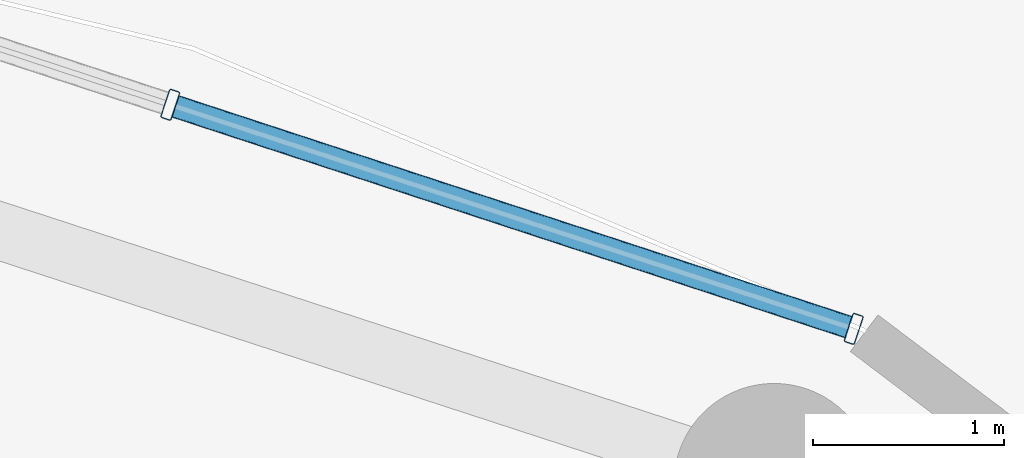
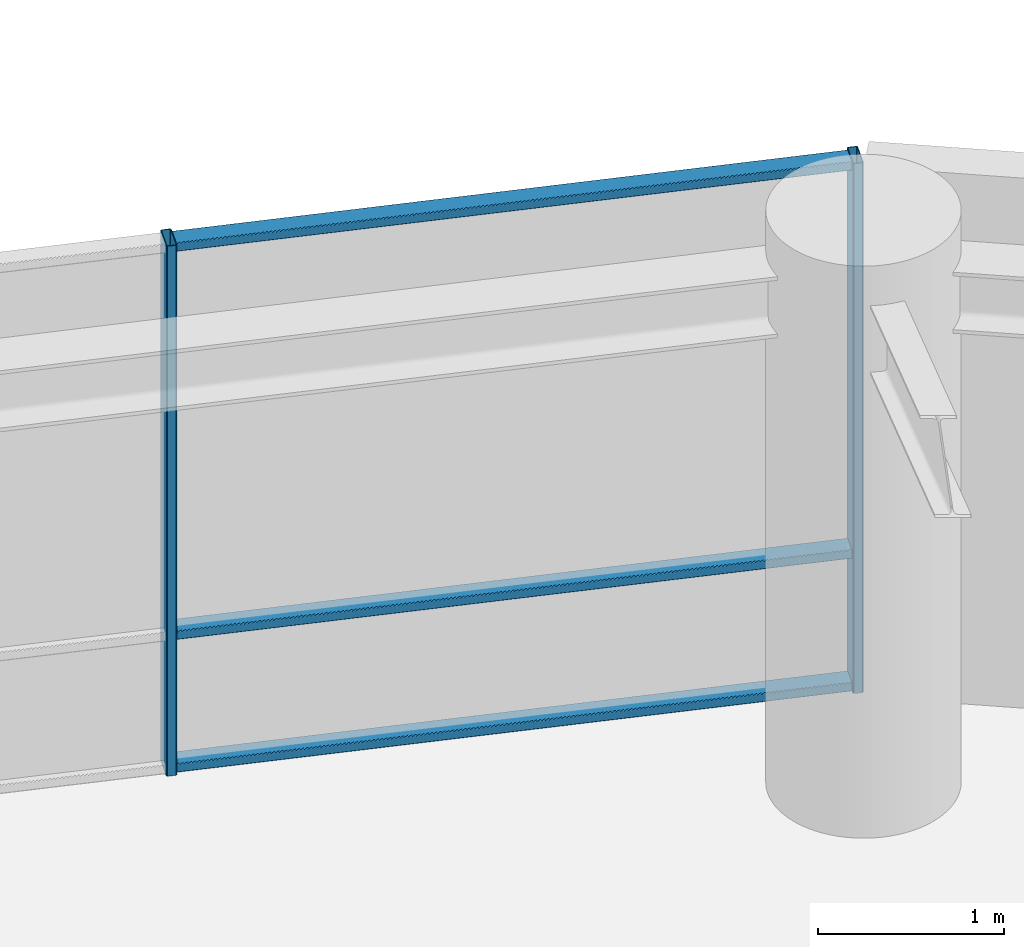
# One storey, part 21 of 30: 5 members, 1 element without a shape of its own.
"""IFC4 building model written with IfcOpenShell, lengths in metres."""

import ifcopenshell
import ifcopenshell.guid

model = None  # the IFC model being written
_history = None  # IfcOwnerHistory: only IFC2X3 demands one
_inside = {}  # id of a spatial element -> (the spatial element, [elements in it])
_under = {}  # id of a project, library or spatial element -> (it, [spatial elements below it])
_declared = {}  # id of a project -> (the project, [libraries it declares])
_typed = {}  # id of a type object -> (the type object, [elements of that type])
_made_of = {}  # id of a material, layer set ... -> (it, [elements and type objects made of it])


def new_model(schema):
    """Start an empty IFC model of exactly this schema.

    Asked for "IFC4X3", IfcOpenShell would pick the latest addendum, in which some entities
    have other attributes; the version numbers below select the first issue.
    IFC2X3 requires an IfcOwnerHistory on every rooted entity: one is made here for all.
    """
    global model, _history
    if schema == "IFC4X3":
        model = ifcopenshell.file(schema_version=(4, 3, 0, 0))
    else:
        model = ifcopenshell.file(schema=schema)
    _inside.clear()
    _under.clear()
    _declared.clear()
    _typed.clear()
    _made_of.clear()
    _history = None
    if model.schema == "IFC2X3":
        org = make("IfcOrganization", Name="unknown")
        user = make(
            "IfcPersonAndOrganization",
            ThePerson=make("IfcPerson", FamilyName="unknown"),
            TheOrganization=org,
        )
        app = make(
            "IfcApplication",
            ApplicationDeveloper=org,
            Version="unknown",
            ApplicationFullName="unknown",
            ApplicationIdentifier="unknown",
        )
        _history = make(
            "IfcOwnerHistory",
            OwningUser=user,
            OwningApplication=app,
            ChangeAction="ADDED",
            CreationDate=0,
        )
    return model


def make(cls, **values):
    """One entity of the class cls with the attributes given. An attribute that is None is left unset."""
    return model.create_entity(
        cls, **{name: value for name, value in values.items() if value is not None}
    )


def rooted(cls, **values):
    """An entity with a GlobalId (a new one), such as an element, a storey or a relation."""
    return make(cls, GlobalId=ifcopenshell.guid.new(), OwnerHistory=_history, **values)


def si_unit(unit_type, name, prefix=None):
    """IfcSIUnit, for example si_unit("LENGTHUNIT", "METRE", prefix="MILLI")."""
    return make("IfcSIUnit", UnitType=unit_type, Prefix=prefix, Name=name)


def assignment(units):
    """IfcUnitAssignment: the units of a project."""
    return None if units is None else make("IfcUnitAssignment", Units=units)


def point(xyz):
    """IfcCartesianPoint."""
    return None if xyz is None else make("IfcCartesianPoint", Coordinates=xyz)


def direction(xyz):
    """IfcDirection."""
    return None if xyz is None else make("IfcDirection", DirectionRatios=xyz)


def frame(location, z_axis=None, x_axis=None):
    """IfcAxis2Placement3D, a coordinate frame: its origin and axes. An axis left out is left unset."""
    return make(
        "IfcAxis2Placement3D",
        Location=point(location),
        Axis=direction(z_axis),
        RefDirection=direction(x_axis),
    )


def frame_2d(location, x_axis=None):
    """IfcAxis2Placement2D, a coordinate frame in the plane: its origin and x axis."""
    return make(
        "IfcAxis2Placement2D", Location=point(location), RefDirection=direction(x_axis)
    )


def origin():
    """The frame at (0, 0, 0) with its axes left unset."""
    return frame((0.0, 0.0, 0.0))


def origin_2d():
    """The frame at (0, 0) in the plane with its x axis left unset."""
    return frame_2d((0.0, 0.0))


def place(relative_to, where):
    """IfcLocalPlacement: puts the frame where relative to a parent placement (None: the world)."""
    return make(
        "IfcLocalPlacement", PlacementRelTo=relative_to, RelativePlacement=where
    )


def context(
    kind, dimensions, precision=None, world=None, true_north=None, identifier=None
):
    """IfcGeometricRepresentationContext, for example the 3D "Model" context."""
    return make(
        "IfcGeometricRepresentationContext",
        ContextIdentifier=identifier,
        ContextType=kind,
        CoordinateSpaceDimension=dimensions,
        Precision=precision,
        WorldCoordinateSystem=world,
        TrueNorth=true_north,
    )


def subcontext(parent, identifier, kind, view, scale=None):
    """IfcGeometricRepresentationSubContext, for example "Body" below "Model"."""
    return make(
        "IfcGeometricRepresentationSubContext",
        ContextIdentifier=identifier,
        ContextType=kind,
        ParentContext=parent,
        TargetScale=scale,
        TargetView=view,
    )


def project(units=None, contexts=None):
    """IfcProject with its units and contexts."""
    return rooted(
        "IfcProject",
        Name="project",
        RepresentationContexts=contexts,
        UnitsInContext=assignment(units),
    )


def spatial(cls, under=None, at=None, **own):
    """A site, building, storey or space (cls), placed at a placement, below another one or the project."""
    s = rooted(cls, ObjectPlacement=at, **own)
    if under is not None:
        _under.setdefault(under.id(), (under, []))[1].append(s)
    return s


def profile(cls, at=None, kind="AREA", **sizes):
    """A parametric profile (cls). Its sizes go by their IFC names, for example OverallWidth=200.0."""
    return make(cls, ProfileType=kind, Position=at, **sizes)


def hollow_rectangle(**sizes):
    """IfcRectangleHollowProfileDef."""
    return profile("IfcRectangleHollowProfileDef", **sizes)


def extrude(swept, where, along, depth):
    """IfcExtrudedAreaSolid: the profile swept, set in the frame where, extruded along a direction by depth."""
    return make(
        "IfcExtrudedAreaSolid",
        SweptArea=swept,
        Position=where,
        ExtrudedDirection=direction(along),
        Depth=depth,
    )


def shape(context_of_items, identifier, shape_type, items):
    """IfcShapeRepresentation: the items that make up one representation, for example the "Body"."""
    return make(
        "IfcShapeRepresentation",
        ContextOfItems=context_of_items,
        RepresentationIdentifier=identifier,
        RepresentationType=shape_type,
        Items=items,
    )


def material(Name=None, Category=None):
    """IfcMaterial."""
    return make("IfcMaterial", Name=Name, Category=Category)


def layer(
    of_material, thickness, ventilated=None, Name=None, Category=None, Priority=None
):
    """IfcMaterialLayer: one layer of a wall or slab, of a material (None: an air gap)."""
    return make(
        "IfcMaterialLayer",
        Material=of_material,
        LayerThickness=thickness,
        IsVentilated=ventilated,
        Name=Name,
        Category=Category,
        Priority=Priority,
    )


def layer_set(layers, Name=None):
    """IfcMaterialLayerSet."""
    return make("IfcMaterialLayerSet", MaterialLayers=layers, LayerSetName=Name)


def material_profile(
    of_material, cross_section, Name=None, Category=None, Priority=None
):
    """IfcMaterialProfile: a cross section and its material."""
    return make(
        "IfcMaterialProfile",
        Name=Name,
        Material=of_material,
        Profile=cross_section,
        Priority=Priority,
        Category=Category,
    )


def profile_set(profiles, Name=None, composite=None):
    """IfcMaterialProfileSet."""
    return make(
        "IfcMaterialProfileSet",
        Name=Name,
        MaterialProfiles=profiles,
        CompositeProfile=composite,
    )


def made_of(thing, what):
    """Note that an element or type object is made of a material, layer set ...; save() writes the relation."""
    if what is not None:
        _made_of.setdefault(what.id(), (what, []))[1].append(thing)
    return thing


def type_object(cls, material=None, **own):
    """A type object (cls), such as IfcWallType, which elements share."""
    return made_of(rooted(cls, **own), material)


def element(
    cls,
    number,
    at=None,
    inside=None,
    cuts=None,
    type_object=None,
    material=None,
    context=None,
    identifier="Body",
    shape_type=None,
    held_by="IfcProductDefinitionShape",
    body=None,
    shapes=None,
    **own,
):
    """One element of the class cls, such as IfcWall. Its Tag is "e" and its number.

    at: its placement. inside: the storey or other place that contains it. cuts: it is an
    opening in that element (IfcRelVoidsElement). A single representation is given by context,
    identifier, shape_type and body (its items); several are given by shapes. held_by: the class
    of the entity that holds the representations. save() writes the other relations.
    """
    e = rooted(cls, Tag="e%d" % number, ObjectPlacement=at, **own)
    if body is not None:
        shapes = [shape(context, identifier, shape_type, body)]
    if shapes is not None:
        e.Representation = make(held_by, Representations=shapes)
    if inside is not None:
        _inside.setdefault(inside.id(), (inside, []))[1].append(e)
    if cuts is not None:
        rooted(
            "IfcRelVoidsElement", RelatingBuildingElement=cuts, RelatedOpeningElement=e
        )
    if type_object is not None:
        _typed.setdefault(type_object.id(), (type_object, []))[1].append(e)
    return made_of(e, material)


def aggregate(whole, parts):
    """IfcRelAggregates: a whole, such as a stair, and the parts it consists of."""
    return rooted("IfcRelAggregates", RelatingObject=whole, RelatedObjects=parts)


def save(model, path):
    """Write the relations noted so far, then the file.

    IfcRelAggregates (storeys below a building ...), IfcRelContainedInSpatialStructure (elements
    in a storey), IfcRelDefinesByType, IfcRelAssociatesMaterial and IfcRelDeclares: one each for
    every whole, place, type object, material and project.
    """
    for whole, parts in _under.values():
        aggregate(whole, parts)
    for where, things in _inside.values():
        rooted(
            "IfcRelContainedInSpatialStructure",
            RelatedElements=things,
            RelatingStructure=where,
        )
    for kind, things in _typed.values():
        rooted("IfcRelDefinesByType", RelatedObjects=things, RelatingType=kind)
    for what, things in _made_of.values():
        rooted("IfcRelAssociatesMaterial", RelatedObjects=things, RelatingMaterial=what)
    for by, libraries in _declared.values():
        rooted("IfcRelDeclares", RelatingContext=by, RelatedDefinitions=libraries)
    model.write(path)


model = new_model("IFC4")

# Units and contexts
model_context = context("Model", 3, precision=1e-05, world=origin(), true_north=direction((0.0, 1.0)))
body_context = subcontext(model_context, "Body", "Model", "MODEL_VIEW")
ifc_project = project(units=[si_unit("LENGTHUNIT", "METRE"), si_unit("AREAUNIT", "SQUARE_METRE"), si_unit("VOLUMEUNIT", "CUBIC_METRE"), si_unit("PLANEANGLEUNIT", "RADIAN"), si_unit("MASSUNIT", "GRAM", prefix="KILO")], contexts=[model_context])

# Site, building, storey
site_placement = place(None, origin())
site = spatial("IfcSite", under=ifc_project, at=site_placement, CompositionType="ELEMENT")
building_placement = place(site_placement, origin())
building = spatial("IfcBuilding", under=site, at=building_placement, Name="Kelanora Arch Commons", CompositionType="ELEMENT")
storey_placement = place(building_placement, frame((0.0, 0.0, 234.449951171875)))
storey = spatial("IfcBuildingStorey", under=building, at=storey_placement, Name="L60", CompositionType="ELEMENT", Elevation=234.449951171875)

# Curtain wall, members
ifc_material_1 = material(Name="Terracotta ceramic-fritted low-E glass and aluminium", Category="masonry")
ifc_layer = layer(ifc_material_1, 0.175048828125)
ifc_layer_set = layer_set([ifc_layer], Name="Terracotta ceramic-fritted low-E glass and aluminium")
curtain_wall_type = type_object("IfcCurtainWallType", Name="CW-SYS-02", PredefinedType="NOTDEFINED", material=ifc_layer_set)
curtain_wall_placement = place(storey_placement, origin())
curtain_wall = element("IfcCurtainWall", 1, at=curtain_wall_placement, inside=storey, type_object=curtain_wall_type, Name="Unitised Curtain Wall L60-B03", PredefinedType="NOTDEFINED")
ifc_material_2 = material(Name="Powder-coated aluminium terracotta", Category="masonry")
ifc_material_profile_1 = material_profile(ifc_material_2, hollow_rectangle(XDim=0.159912109375, YDim=0.06005859375, WallThickness=0.0048828125, InnerFilletRadius=0.0048828125, OuterFilletRadius=0.010009765625, at=origin_2d()), Name="CWM160x60")
ifc_profile_set_1 = profile_set([ifc_material_profile_1], Name="Powder-coated aluminium terracotta")
member_type_1 = type_object("IfcMemberType", Name="CWM-STD", PredefinedType="MULLION", material=ifc_profile_set_1)
member_1_placement = place(storey_placement, frame((85.05712890625, 75.33447265625, 0.0), z_axis=(0.0, 0.0, 1.0), x_axis=(-0.311582439059, -0.950219124029, 0.0)))
member_1 = element("IfcMember", 2, at=member_1_placement, type_object=member_type_1, Name="CW-02 mullion 1", PredefinedType="MULLION", context=body_context, shape_type="SweptSolid", body=[
    extrude(hollow_rectangle(XDim=0.159912109375, YDim=0.06005859375, WallThickness=0.0048828125, InnerFilletRadius=0.0048828125, OuterFilletRadius=0.010009765625, at=origin_2d()), origin(), (0.0, 0.0, 1.0), 3.47509765625),
])
member_2_placement = place(storey_placement, frame((81.4775390625, 76.50830078125, 0.0), z_axis=(0.0, 0.0, 1.0), x_axis=(-0.311582439059, -0.950219124029, 0.0)))
member_2 = element("IfcMember", 3, at=member_2_placement, type_object=member_type_1, Name="CW-02 mullion 2", PredefinedType="MULLION", context=body_context, shape_type="SweptSolid", body=[
    extrude(hollow_rectangle(XDim=0.159912109375, YDim=0.06005859375, WallThickness=0.0048828125, InnerFilletRadius=0.0048828125, OuterFilletRadius=0.010009765625, at=origin_2d()), origin(), (0.0, 0.0, 1.0), 3.47509765625),
])
ifc_material_profile_2 = material_profile(ifc_material_2, hollow_rectangle(XDim=0.1201171875, YDim=0.06005859375, WallThickness=0.0048828125, InnerFilletRadius=0.0048828125, OuterFilletRadius=0.010009765625, at=origin_2d()), Name="CWT120x60")
ifc_profile_set_2 = profile_set([ifc_material_profile_2], Name="Powder-coated aluminium terracotta")
member_type_2 = type_object("IfcMemberType", Name="CWT-STD", PredefinedType="USERDEFINED", material=ifc_profile_set_2)
member_3_placement = place(storey_placement, frame((85.02880859375, 75.343994140625, 0.030029296875), z_axis=(-0.950226025222, 0.311561392011, 0.0), x_axis=(-0.311561392011, -0.950226025222, 0.0)))
member_3 = element("IfcMember", 4, at=member_3_placement, type_object=member_type_2, Name="CW-02 transom 1.1", ObjectType="TRANSOM", PredefinedType="USERDEFINED", context=body_context, shape_type="SweptSolid", body=[
    extrude(hollow_rectangle(XDim=0.1201171875, YDim=0.06005859375, WallThickness=0.0048828125, InnerFilletRadius=0.0048828125, OuterFilletRadius=0.010009765625, at=origin_2d()), origin(), (0.0, 0.0, 1.0), 3.707275390625),
])
member_4_placement = place(storey_placement, frame((85.02880859375, 75.343994140625, 0.900146484375), z_axis=(-0.950226025222, 0.311561392011, 0.0), x_axis=(-0.311561392011, -0.950226025222, 0.0)))
member_4 = element("IfcMember", 5, at=member_4_placement, type_object=member_type_2, Name="CW-02 transom 1.2", ObjectType="TRANSOM", PredefinedType="USERDEFINED", context=body_context, shape_type="SweptSolid", body=[
    extrude(hollow_rectangle(XDim=0.1201171875, YDim=0.06005859375, WallThickness=0.0048828125, InnerFilletRadius=0.0048828125, OuterFilletRadius=0.010009765625, at=origin_2d()), origin(), (0.0, 0.0, 1.0), 3.707275390625),
])
member_5_placement = place(storey_placement, frame((85.02880859375, 75.343994140625, 3.445068359375), z_axis=(-0.950226025222, 0.311561392011, 0.0), x_axis=(-0.311561392011, -0.950226025222, 0.0)))
member_5 = element("IfcMember", 6, at=member_5_placement, type_object=member_type_2, Name="CW-02 transom 1.3", ObjectType="TRANSOM", PredefinedType="USERDEFINED", context=body_context, shape_type="SweptSolid", body=[
    extrude(hollow_rectangle(XDim=0.1201171875, YDim=0.06005859375, WallThickness=0.0048828125, InnerFilletRadius=0.0048828125, OuterFilletRadius=0.010009765625, at=origin_2d()), origin(), (0.0, 0.0, 1.0), 3.707275390625),
])
aggregate(curtain_wall, [member_1, member_2, member_3, member_4, member_5])

save(model, "model.ifc")
